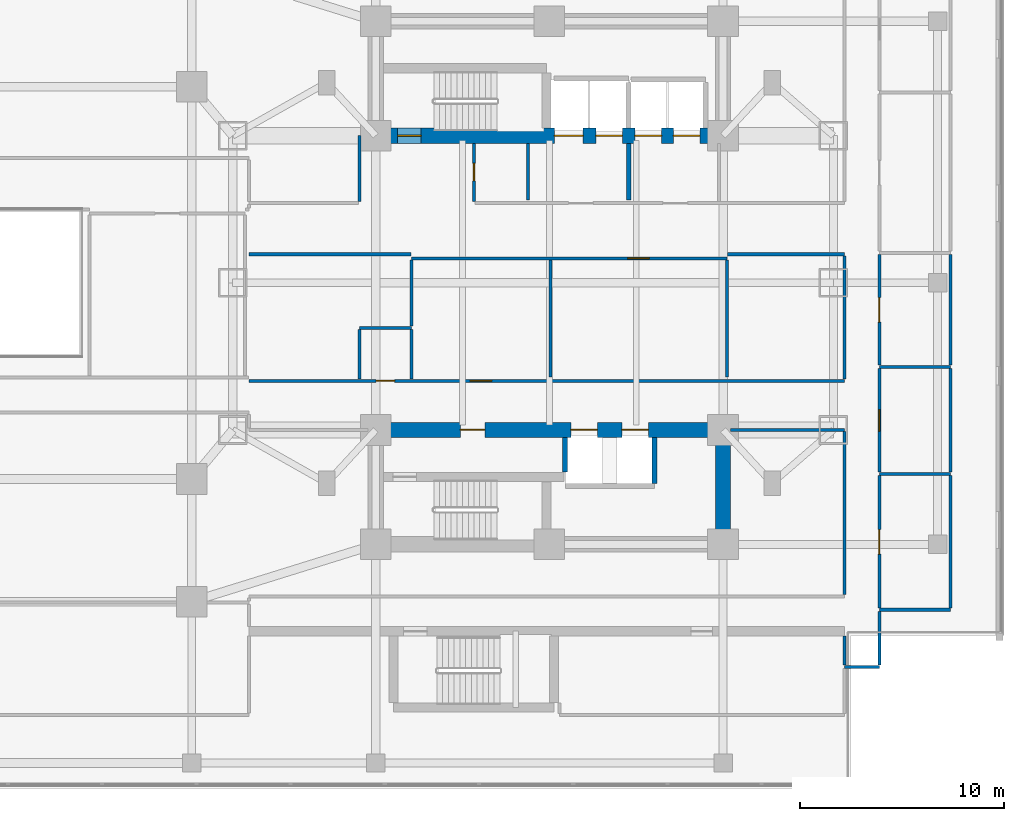
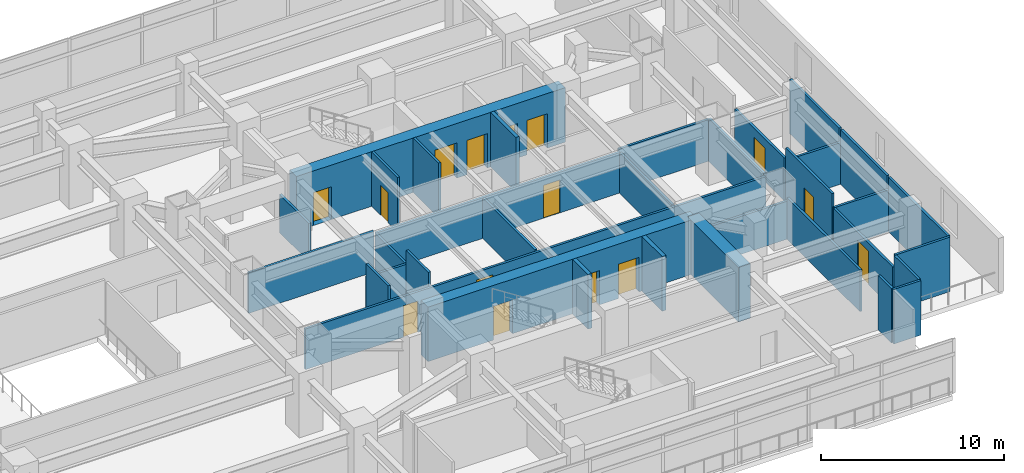
# One storey, part 17 of 26: 34 walls, 15 doors, 15 openings.
"""IFC4 building model written with IfcOpenShell, lengths in metres."""

from ifc_helpers import new_model, si_unit, direction, frame, frame_2d, origin, place, context, subcontext, project, spatial, rectangle, extrude, material, layer, layer_set, type_object, element, fill, save


model = new_model("IFC4")

# Units and contexts
model_context = context("Model", 3, precision=1e-05, world=origin(), true_north=direction((0.0, 1.0)))
body_context = subcontext(model_context, "Body", "Model", "MODEL_VIEW")
ifc_project = project(units=[si_unit("LENGTHUNIT", "METRE"), si_unit("AREAUNIT", "SQUARE_METRE"), si_unit("VOLUMEUNIT", "CUBIC_METRE"), si_unit("PLANEANGLEUNIT", "RADIAN"), si_unit("MASSUNIT", "GRAM", prefix="KILO")], contexts=[model_context])

# Site, building, storey
site_placement = place(None, origin())
site = spatial("IfcSite", under=ifc_project, at=site_placement, CompositionType="ELEMENT")
building_placement = place(site_placement, origin())
building = spatial("IfcBuilding", under=site, at=building_placement, Name="Mirazonda Arch Towers", CompositionType="ELEMENT")
storey_placement = place(building_placement, frame((0.0, 0.0, 13.800048828125)))
storey = spatial("IfcBuildingStorey", under=building, at=storey_placement, Name="L03", CompositionType="ELEMENT", Elevation=13.800048828125)

# Wall, openings, doors
ifc_material_1 = material(Name="Concrete C60/75", Category="concrete")
ifc_layer_1 = layer(ifc_material_1, 0.75, Name="WALL-CORE-750")
ifc_layer_set_1 = layer_set([ifc_layer_1], Name="Concrete C60/75")
wall_type_1 = type_object("IfcWallType", Name="WALL-CORE-750", PredefinedType="SHEAR", material=ifc_layer_set_1)
wall_1_placement = place(storey_placement, frame((68.0, 35.199951171875, 0.0), z_axis=(0.0, 0.0, 1.0), x_axis=(1.0, 0.0, 0.0)))
wall_1 = element("IfcWall", 1, at=wall_1_placement, inside=storey, type_object=wall_type_1, Name="L03 T2N-S Core Shear Wall", PredefinedType="SHEAR", context=body_context, shape_type="SweptSolid", body=[
    extrude(rectangle(XDim=17.0, YDim=0.75, at=frame_2d((8.5, 0.0))), origin(), (0.0, 0.0, 1.0), 3.64990234375),
])
opening_1_placement = place(wall_1_placement, frame((1.070068359375, 0.0, 0.0)))
opening_1 = element("IfcOpeningElement", 2, at=opening_1_placement, cuts=wall_1, Name="Opening DR-135", PredefinedType="OPENING", context=body_context, shape_type="SweptSolid", body=[
    extrude(rectangle(XDim=1.14990234375, YDim=2.199951171875, at=frame_2d((0.574951171875, 1.10009765625))), frame((0.0, 0.385009765625, 0.0), z_axis=(0.0, -1.0, 0.0), x_axis=(1.0, 0.0, 0.0)), (0.0, 0.0, 1.0), 0.77001953125),
])
opening_2_placement = place(wall_1_placement, frame((8.75, 0.0, 0.0)))
opening_2 = element("IfcOpeningElement", 3, at=opening_2_placement, cuts=wall_1, Name="Opening LD-112", PredefinedType="OPENING", context=body_context, shape_type="SweptSolid", body=[
    extrude(rectangle(XDim=1.39990234375, YDim=2.35009765625, at=frame_2d((0.699951171875, 1.175048828125))), frame((0.0, 0.385009765625, 0.0), z_axis=(0.0, -1.0, 0.0), x_axis=(1.0, 0.0, 0.0)), (0.0, 0.0, 1.0), 0.77001953125),
])
opening_3_placement = place(wall_1_placement, frame((10.77001953125, 0.0, 0.0)))
opening_3 = element("IfcOpeningElement", 4, at=opening_3_placement, cuts=wall_1, Name="Opening LD-111", PredefinedType="OPENING", context=body_context, shape_type="SweptSolid", body=[
    extrude(rectangle(XDim=1.300048828125, YDim=2.300048828125, at=frame_2d((0.64990234375, 1.14990234375))), frame((0.0, 0.385009765625, 0.0), z_axis=(0.0, -1.0, 0.0), x_axis=(1.0, 0.0, 0.0)), (0.0, 0.0, 1.0), 0.77001953125),
])
opening_4_placement = place(wall_1_placement, frame((12.68994140625, 0.0, 0.0)))
opening_4 = element("IfcOpeningElement", 5, at=opening_4_placement, cuts=wall_1, Name="Opening LD-111", PredefinedType="OPENING", context=body_context, shape_type="SweptSolid", body=[
    extrude(rectangle(XDim=1.300048828125, YDim=2.300048828125, at=frame_2d((0.64990234375, 1.14990234375))), frame((0.0, 0.385009765625, 0.0), z_axis=(0.0, -1.0, 0.0), x_axis=(1.0, 0.0, 0.0)), (0.0, 0.0, 1.0), 0.77001953125),
])
opening_5_placement = place(wall_1_placement, frame((14.570068359375, 0.0, 0.0)))
opening_5 = element("IfcOpeningElement", 6, at=opening_5_placement, cuts=wall_1, Name="Opening LD-111", PredefinedType="OPENING", context=body_context, shape_type="SweptSolid", body=[
    extrude(rectangle(XDim=1.300048828125, YDim=2.300048828125, at=frame_2d((0.64990234375, 1.14990234375))), frame((0.0, 0.385009765625, 0.0), z_axis=(0.0, -1.0, 0.0), x_axis=(1.0, 0.0, 0.0)), (0.0, 0.0, 1.0), 0.77001953125),
])
ifc_material_2 = material(Name="Architectural Brushed Steel S355", Category="steel")
door_type_1 = type_object("IfcDoorType", Name="DOOR-LIFT-FFL-1400", OperationType="NOTDEFINED", PredefinedType="DOOR", material=ifc_material_2)
door_1_placement = place(opening_2_placement, origin())
door_1 = element("IfcDoor", 7, at=door_1_placement, inside=storey, type_object=door_type_1, Name="L03 Lift Landing Sliding Door FFL-T2", OperationType="DOUBLE_DOOR_SLIDING", OverallHeight=2.35009765625, OverallWidth=1.39990234375, PredefinedType="DOOR", context=body_context, shape_type="SweptSolid", body=[
    extrude(rectangle(XDim=1.39990234375, YDim=2.35009765625, at=frame_2d((0.699951171875, 1.175048828125))), frame((0.0, 0.02490234375, 0.0), z_axis=(0.0, -1.0, 0.0), x_axis=(1.0, 0.0, 0.0)), (0.0, 0.0, 1.0), 0.050048828125),
])
fill(opening_2, door_1)
door_type_2 = type_object("IfcDoorType", Name="DOOR-LIFT-LAND-1300", OperationType="NOTDEFINED", PredefinedType="DOOR", material=ifc_material_2)
door_2_placement = place(opening_3_placement, origin())
door_2 = element("IfcDoor", 8, at=door_2_placement, inside=storey, type_object=door_type_2, Name="L03 Lift Landing Sliding Door SVL-T2", OperationType="DOUBLE_DOOR_SLIDING", OverallHeight=2.300048828125, OverallWidth=1.300048828125, PredefinedType="DOOR", context=body_context, shape_type="SweptSolid", body=[
    extrude(rectangle(XDim=1.300048828125, YDim=2.300048828125, at=frame_2d((0.64990234375, 1.14990234375))), frame((0.0, 0.02490234375, 0.0), z_axis=(0.0, -1.0, 0.0), x_axis=(1.0, 0.0, 0.0)), (0.0, 0.0, 1.0), 0.050048828125),
])
fill(opening_3, door_2)
door_3_placement = place(opening_4_placement, origin())
door_3 = element("IfcDoor", 9, at=door_3_placement, inside=storey, type_object=door_type_2, Name="L03 Lift Landing Sliding Door PL-T2L1", OperationType="DOUBLE_DOOR_SLIDING", OverallHeight=2.300048828125, OverallWidth=1.300048828125, PredefinedType="DOOR", context=body_context, shape_type="SweptSolid", body=[
    extrude(rectangle(XDim=1.300048828125, YDim=2.300048828125, at=frame_2d((0.64990234375, 1.14990234375))), frame((0.0, 0.02490234375, 0.0), z_axis=(0.0, -1.0, 0.0), x_axis=(1.0, 0.0, 0.0)), (0.0, 0.0, 1.0), 0.050048828125),
])
fill(opening_4, door_3)
door_4_placement = place(opening_5_placement, origin())
door_4 = element("IfcDoor", 10, at=door_4_placement, inside=storey, type_object=door_type_2, Name="L03 Lift Landing Sliding Door PL-T2L2", OperationType="DOUBLE_DOOR_SLIDING", OverallHeight=2.300048828125, OverallWidth=1.300048828125, PredefinedType="DOOR", context=body_context, shape_type="SweptSolid", body=[
    extrude(rectangle(XDim=1.300048828125, YDim=2.300048828125, at=frame_2d((0.64990234375, 1.14990234375))), frame((0.0, 0.02490234375, 0.0), z_axis=(0.0, -1.0, 0.0), x_axis=(1.0, 0.0, 0.0)), (0.0, 0.0, 1.0), 0.050048828125),
])
fill(opening_5, door_4)
door_type_3 = type_object("IfcDoorType", Name="DOOR-STAIR-FD90-1150", OperationType="NOTDEFINED", PredefinedType="DOOR", material=ifc_material_2)
door_5_placement = place(opening_1_placement, origin())
door_5 = element("IfcDoor", 11, at=door_5_placement, inside=storey, type_object=door_type_3, Name="L03 East Protected Stair North Door", OperationType="SINGLE_SWING_RIGHT", OverallHeight=2.199951171875, OverallWidth=1.14990234375, PredefinedType="DOOR", context=body_context, shape_type="SweptSolid", body=[
    extrude(rectangle(XDim=1.14990234375, YDim=2.199951171875, at=frame_2d((0.574951171875, 1.10009765625))), frame((0.0, 0.02490234375, 0.0), z_axis=(0.0, -1.0, 0.0), x_axis=(1.0, 0.0, 0.0)), (0.0, 0.0, 1.0), 0.050048828125),
])
fill(opening_1, door_5)

# Wall
wall_2_placement = place(storey_placement, frame((85.0, 15.199951171875, 0.0), z_axis=(0.0, 0.0, 1.0), x_axis=(0.0, 1.0, 0.0)))
element("IfcWall", 12, at=wall_2_placement, inside=storey, type_object=wall_type_1, Name="L03 T2S-E Core Shear Wall", PredefinedType="SHEAR", context=body_context, shape_type="SweptSolid", body=[
    extrude(rectangle(XDim=5.60009765625, YDim=0.75, at=frame_2d((2.800048828125, 0.0))), origin(), (0.0, 0.0, 1.0), 3.64990234375),
])

# Wall, openings, doors
wall_3_placement = place(storey_placement, frame((68.0, 20.800048828125, 0.0), z_axis=(0.0, 0.0, 1.0), x_axis=(1.0, 0.0, 0.0)))
wall_3 = element("IfcWall", 13, at=wall_3_placement, inside=storey, type_object=wall_type_1, Name="L03 T2S-N Core Shear Wall", PredefinedType="SHEAR", context=body_context, shape_type="SweptSolid", body=[
    extrude(rectangle(XDim=17.0, YDim=0.75, at=frame_2d((8.5, 0.0))), origin(), (0.0, 0.0, 1.0), 3.64990234375),
])
opening_6_placement = place(wall_3_placement, frame((4.14501953125, 0.0, 0.0)))
opening_6 = element("IfcOpeningElement", 14, at=opening_6_placement, cuts=wall_3, Name="Opening DR-117", PredefinedType="OPENING", context=body_context, shape_type="SweptSolid", body=[
    extrude(rectangle(XDim=1.199951171875, YDim=2.25, at=frame_2d((0.60009765625, 1.125))), frame((0.0, 0.385009765625, 0.0), z_axis=(0.0, -1.0, 0.0), x_axis=(1.0, 0.0, 0.0)), (0.0, 0.0, 1.0), 0.77001953125),
])
opening_7_placement = place(wall_3_placement, frame((9.550048828125, 0.0, 0.0)))
opening_7 = element("IfcOpeningElement", 15, at=opening_7_placement, cuts=wall_3, Name="Opening LD-111", PredefinedType="OPENING", context=body_context, shape_type="SweptSolid", body=[
    extrude(rectangle(XDim=1.300048828125, YDim=2.300048828125, at=frame_2d((0.64990234375, 1.14990234375))), frame((0.0, 0.385009765625, 0.0), z_axis=(0.0, -1.0, 0.0), x_axis=(1.0, 0.0, 0.0)), (0.0, 0.0, 1.0), 0.77001953125),
])
opening_8_placement = place(wall_3_placement, frame((12.050048828125, 0.0, 0.0)))
opening_8 = element("IfcOpeningElement", 16, at=opening_8_placement, cuts=wall_3, Name="Opening LD-111", PredefinedType="OPENING", context=body_context, shape_type="SweptSolid", body=[
    extrude(rectangle(XDim=1.300048828125, YDim=2.300048828125, at=frame_2d((0.64990234375, 1.14990234375))), frame((0.0, 0.385009765625, 0.0), z_axis=(0.0, -1.0, 0.0), x_axis=(1.0, 0.0, 0.0)), (0.0, 0.0, 1.0), 0.77001953125),
])
door_type_4 = type_object("IfcDoorType", Name="DOOR-FFL-FD90-1200", OperationType="NOTDEFINED", PredefinedType="DOOR", material=ifc_material_2)
door_6_placement = place(opening_6_placement, origin())
door_6 = element("IfcDoor", 17, at=door_6_placement, inside=storey, type_object=door_type_4, Name="L03 East South Stair & Lift Lobby Door", OperationType="SINGLE_SWING_LEFT", OverallHeight=2.25, OverallWidth=1.199951171875, PredefinedType="DOOR", context=body_context, shape_type="SweptSolid", body=[
    extrude(rectangle(XDim=1.199951171875, YDim=2.25, at=frame_2d((0.60009765625, 1.125))), frame((0.0, 0.02490234375, 0.0), z_axis=(0.0, -1.0, 0.0), x_axis=(1.0, 0.0, 0.0)), (0.0, 0.0, 1.0), 0.050048828125),
])
fill(opening_6, door_6)
door_7_placement = place(opening_7_placement, origin())
door_7 = element("IfcDoor", 18, at=door_7_placement, inside=storey, type_object=door_type_2, Name="L03 Lift Landing Sliding Door PL-T2H1", OperationType="DOUBLE_DOOR_SLIDING", OverallHeight=2.300048828125, OverallWidth=1.300048828125, PredefinedType="DOOR", context=body_context, shape_type="SweptSolid", body=[
    extrude(rectangle(XDim=1.300048828125, YDim=2.300048828125, at=frame_2d((0.64990234375, 1.14990234375))), frame((0.0, 0.02490234375, 0.0), z_axis=(0.0, -1.0, 0.0), x_axis=(1.0, 0.0, 0.0)), (0.0, 0.0, 1.0), 0.050048828125),
])
fill(opening_7, door_7)
door_8_placement = place(opening_8_placement, origin())
door_8 = element("IfcDoor", 19, at=door_8_placement, inside=storey, type_object=door_type_2, Name="L03 Lift Landing Sliding Door PL-T2H2", OperationType="DOUBLE_DOOR_SLIDING", OverallHeight=2.300048828125, OverallWidth=1.300048828125, PredefinedType="DOOR", context=body_context, shape_type="SweptSolid", body=[
    extrude(rectangle(XDim=1.300048828125, YDim=2.300048828125, at=frame_2d((0.64990234375, 1.14990234375))), frame((0.0, 0.02490234375, 0.0), z_axis=(0.0, -1.0, 0.0), x_axis=(1.0, 0.0, 0.0)), (0.0, 0.0, 1.0), 0.050048828125),
])
fill(opening_8, door_8)

# Walls
ifc_material_3 = material(Name="Concrete C40/50", Category="concrete")
ifc_layer_2 = layer(ifc_material_3, 0.219970703125, Name="WALL-FFL-220")
ifc_layer_set_2 = layer_set([ifc_layer_2], Name="Concrete C40/50")
wall_type_2 = type_object("IfcWallType", Name="WALL-FFL-220", PredefinedType="SOLIDWALL", material=ifc_layer_set_2)
wall_4_placement = place(storey_placement, frame((80.3798828125, 32.050048828125, 0.0), z_axis=(0.0, 0.0, 1.0), x_axis=(0.0, 1.0, 0.0)))
element("IfcWall", 20, at=wall_4_placement, inside=storey, type_object=wall_type_2, Name="L03 Interior Partition 123", PredefinedType="SOLIDWALL", context=body_context, shape_type="SweptSolid", body=[
    extrude(rectangle(XDim=2.780029296875, YDim=0.219970703125, at=frame_2d((1.39013671875, 0.0))), origin(), (0.0, 0.0, 1.0), 3.64990234375),
])
ifc_material_4 = material(Name="Fire-Rated Gypsum Stud Partition")
ifc_layer_3 = layer(ifc_material_4, 0.14990234375, Name="WALL-PART-CORR-150")
ifc_layer_set_3 = layer_set([ifc_layer_3], Name="Fire-Rated Gypsum Stud Partition")
wall_type_3 = type_object("IfcWallType", Name="WALL-PART-CORR-150", PredefinedType="PARTITIONING", material=ifc_layer_set_3)
wall_5_placement = place(storey_placement, frame((90.949951171875, 9.199951171875, 0.0), z_axis=(0.0, 0.0, 1.0), x_axis=(1.0, 0.0, 0.0)))
element("IfcWall", 21, at=wall_5_placement, inside=storey, type_object=wall_type_3, Name="L03 Interior Partition 006", PredefinedType="PARTITIONING", context=body_context, shape_type="SweptSolid", body=[
    extrude(rectangle(XDim=1.699951171875, YDim=0.14990234375, at=frame_2d((0.85009765625, 0.0))), origin(), (0.0, 0.0, 1.0), 3.64990234375),
])
wall_6_placement = place(storey_placement, frame((92.64990234375, 12.0, 0.0), z_axis=(0.0, 0.0, 1.0), x_axis=(1.0, 0.0, 0.0)))
element("IfcWall", 22, at=wall_6_placement, inside=storey, type_object=wall_type_3, Name="L03 Interior Partition 010", PredefinedType="PARTITIONING", context=body_context, shape_type="SweptSolid", body=[
    extrude(rectangle(XDim=3.47509765625, YDim=0.14990234375, at=frame_2d((1.737548828125, 0.0))), origin(), (0.0, 0.0, 1.0), 3.64990234375),
])
wall_7_placement = place(storey_placement, frame((92.64990234375, 18.655029296875, 0.0), z_axis=(0.0, 0.0, 1.0), x_axis=(1.0, 0.0, 0.0)))
element("IfcWall", 23, at=wall_7_placement, inside=storey, type_object=wall_type_3, Name="L03 Interior Partition 023", PredefinedType="PARTITIONING", context=body_context, shape_type="SweptSolid", body=[
    extrude(rectangle(XDim=3.47509765625, YDim=0.14990234375, at=frame_2d((1.737548828125, 0.0))), origin(), (0.0, 0.0, 1.0), 2.785888671875),
])
wall_8_placement = place(storey_placement, frame((85.3701171875, 20.800048828125, 0.0), z_axis=(0.0, 0.0, 1.0), x_axis=(1.0, 0.0, 0.0)))
element("IfcWall", 24, at=wall_8_placement, inside=storey, type_object=wall_type_3, Name="L03 Interior Partition 026", PredefinedType="PARTITIONING", context=body_context, shape_type="SweptSolid", body=[
    extrude(rectangle(XDim=5.579833984375, YDim=0.14990234375, at=frame_2d((2.7900390625, 0.0))), origin(), (0.0, 0.0, 1.0), 2.5419921875),
])

# Wall, openings, doors
wall_9_placement = place(storey_placement, frame((61.800048828125, 23.199951171875, 0.0), z_axis=(0.0, 0.0, 1.0), x_axis=(1.0, 0.0, 0.0)))
wall_9 = element("IfcWall", 25, at=wall_9_placement, inside=storey, type_object=wall_type_3, Name="L03 Interior Partition 028", PredefinedType="PARTITIONING", context=body_context, shape_type="SweptSolid", body=[
    extrude(rectangle(XDim=29.14990234375, YDim=0.14990234375, at=frame_2d((14.574951171875, 0.0))), origin(), (0.0, 0.0, 1.0), 2.71484375),
])
opening_9_placement = place(wall_9_placement, frame((6.22509765625, 0.0, 0.0)))
opening_9 = element("IfcOpeningElement", 26, at=opening_9_placement, cuts=wall_9, Name="Opening DR-120", PredefinedType="OPENING", context=body_context, shape_type="SweptSolid", body=[
    extrude(rectangle(XDim=0.89990234375, YDim=2.10009765625, at=frame_2d((0.449951171875, 1.050048828125))), frame((0.0, 0.0849609375, 0.0), z_axis=(0.0, -1.0, 0.0), x_axis=(1.0, 0.0, 0.0)), (0.0, 0.0, 1.0), 0.169921875),
])
opening_10_placement = place(wall_9_placement, frame((10.823974609375, 0.0, 0.0)))
opening_10 = element("IfcOpeningElement", 27, at=opening_10_placement, cuts=wall_9, Name="Opening DR-121", PredefinedType="OPENING", context=body_context, shape_type="SweptSolid", body=[
    extrude(rectangle(XDim=1.050048828125, YDim=2.199951171875, at=frame_2d((0.52490234375, 1.10009765625))), frame((0.0, 0.0849609375, 0.0), z_axis=(0.0, -1.0, 0.0), x_axis=(1.0, 0.0, 0.0)), (0.0, 0.0, 1.0), 0.169921875),
])
door_type_5 = type_object("IfcDoorType", Name="DOOR-SUITE-FD60-1050", OperationType="NOTDEFINED", PredefinedType="DOOR", material=ifc_material_2)
door_9_placement = place(opening_10_placement, origin())
door_9 = element("IfcDoor", 28, at=door_9_placement, inside=storey, type_object=door_type_5, Name="L03 Central Plenary Breakout Lounge Door", OperationType="SINGLE_SWING_LEFT", OverallHeight=2.199951171875, OverallWidth=1.050048828125, PredefinedType="DOOR", context=body_context, shape_type="SweptSolid", body=[
    extrude(rectangle(XDim=1.050048828125, YDim=2.199951171875, at=frame_2d((0.52490234375, 1.10009765625))), frame((0.0, 0.02490234375, 0.0), z_axis=(0.0, -1.0, 0.0), x_axis=(1.0, 0.0, 0.0)), (0.0, 0.0, 1.0), 0.050048828125),
])
fill(opening_10, door_9)
door_type_6 = type_object("IfcDoorType", Name="DOOR-WC-900", OperationType="NOTDEFINED", PredefinedType="DOOR", material=ifc_material_2)
door_10_placement = place(opening_9_placement, origin())
door_10 = element("IfcDoor", 29, at=door_10_placement, inside=storey, type_object=door_type_6, Name="L03 Tower 2 Podium Accessible WC Door", OperationType="SINGLE_SWING_LEFT", OverallHeight=2.10009765625, OverallWidth=0.89990234375, PredefinedType="DOOR", context=body_context, shape_type="SweptSolid", body=[
    extrude(rectangle(XDim=0.89990234375, YDim=2.10009765625, at=frame_2d((0.449951171875, 1.050048828125))), frame((0.0, 0.02490234375, 0.0), z_axis=(0.0, -1.0, 0.0), x_axis=(1.0, 0.0, 0.0)), (0.0, 0.0, 1.0), 0.050048828125),
])
fill(opening_9, door_10)

# Walls
wall_10_placement = place(storey_placement, frame((92.64990234375, 23.884033203125, 0.0), z_axis=(0.0, 0.0, 1.0), x_axis=(1.0, 0.0, 0.0)))
element("IfcWall", 30, at=wall_10_placement, inside=storey, type_object=wall_type_3, Name="L03 Interior Partition 032", PredefinedType="PARTITIONING", context=body_context, shape_type="SweptSolid", body=[
    extrude(rectangle(XDim=3.47509765625, YDim=0.14990234375, at=frame_2d((1.737548828125, 0.0))), origin(), (0.0, 0.0, 1.0), 2.785888671875),
])
wall_11_placement = place(storey_placement, frame((67.199951171875, 25.800048828125, 0.0), z_axis=(0.0, 0.0, 1.0), x_axis=(1.0, 0.0, 0.0)))
element("IfcWall", 31, at=wall_11_placement, inside=storey, type_object=wall_type_3, Name="L03 Interior Partition 033", PredefinedType="PARTITIONING", context=body_context, shape_type="SweptSolid", body=[
    extrude(rectangle(XDim=2.550048828125, YDim=0.14990234375, at=frame_2d((1.27490234375, 0.0))), origin(), (0.0, 0.0, 1.0), 2.71484375),
])

# Wall, opening, door
wall_12_placement = place(storey_placement, frame((69.75, 29.199951171875, 0.0), z_axis=(0.0, 0.0, 1.0), x_axis=(1.0, 0.0, 0.0)))
wall_12 = element("IfcWall", 32, at=wall_12_placement, inside=storey, type_object=wall_type_3, Name="L03 Interior Partition 035", PredefinedType="PARTITIONING", context=body_context, shape_type="SweptSolid", body=[
    extrude(rectangle(XDim=15.449951171875, YDim=0.14990234375, at=frame_2d((7.72509765625, 0.0))), origin(), (0.0, 0.0, 1.0), 2.71484375),
])
opening_11_placement = place(wall_12_placement, frame((10.5791015625, 0.0, 0.0)))
opening_11 = element("IfcOpeningElement", 33, at=opening_11_placement, cuts=wall_12, Name="Opening DR-121", PredefinedType="OPENING", context=body_context, shape_type="SweptSolid", body=[
    extrude(rectangle(XDim=1.050048828125, YDim=2.199951171875, at=frame_2d((0.52490234375, 1.10009765625))), frame((0.0, 0.0849609375, 0.0), z_axis=(0.0, -1.0, 0.0), x_axis=(1.0, 0.0, 0.0)), (0.0, 0.0, 1.0), 0.169921875),
])
door_11_placement = place(opening_11_placement, origin())
door_11 = element("IfcDoor", 34, at=door_11_placement, inside=storey, type_object=door_type_5, Name="L03 Executive Caucus Room Door", OperationType="SINGLE_SWING_RIGHT", OverallHeight=2.199951171875, OverallWidth=1.050048828125, PredefinedType="DOOR", context=body_context, shape_type="SweptSolid", body=[
    extrude(rectangle(XDim=1.050048828125, YDim=2.199951171875, at=frame_2d((0.52490234375, 1.10009765625))), frame((0.0, 0.02490234375, 0.0), z_axis=(0.0, -1.0, 0.0), x_axis=(1.0, 0.0, 0.0)), (0.0, 0.0, 1.0), 0.050048828125),
])
fill(opening_11, door_11)

# Walls
wall_13_placement = place(storey_placement, frame((61.800048828125, 29.39990234375, 0.0), z_axis=(0.0, 0.0, 1.0), x_axis=(1.0, 0.0, 0.0)))
element("IfcWall", 35, at=wall_13_placement, inside=storey, type_object=wall_type_3, Name="L03 Interior Partition 036", PredefinedType="PARTITIONING", context=body_context, shape_type="SweptSolid", body=[
    extrude(rectangle(XDim=7.929931640625, YDim=0.14990234375, at=frame_2d((3.96484375, 0.0))), origin(), (0.0, 0.0, 1.0), 2.71484375),
])
wall_14_placement = place(storey_placement, frame((85.219970703125, 29.39990234375, 0.0), z_axis=(0.0, 0.0, 1.0), x_axis=(1.0, 0.0, 0.0)))
element("IfcWall", 36, at=wall_14_placement, inside=storey, type_object=wall_type_3, Name="L03 Interior Partition 037", PredefinedType="PARTITIONING", context=body_context, shape_type="SweptSolid", body=[
    extrude(rectangle(XDim=5.72998046875, YDim=0.14990234375, at=frame_2d((2.864990234375, 0.0))), origin(), (0.0, 0.0, 1.0), 2.785888671875),
])
wall_15_placement = place(storey_placement, frame((67.199951171875, 23.284912109375, 0.0), z_axis=(0.0, 0.0, 1.0), x_axis=(0.0, 1.0, 0.0)))
element("IfcWall", 37, at=wall_15_placement, inside=storey, type_object=wall_type_3, Name="L03 Interior Partition 110", PredefinedType="PARTITIONING", context=body_context, shape_type="SweptSolid", body=[
    extrude(rectangle(XDim=2.43017578125, YDim=0.14990234375, at=frame_2d((1.215087890625, 0.0))), origin(), (0.0, 0.0, 1.0), 3.64990234375),
])
wall_16_placement = place(storey_placement, frame((67.199951171875, 31.985107421875, 0.0), z_axis=(0.0, 0.0, 1.0), x_axis=(0.0, 1.0, 0.0)))
element("IfcWall", 38, at=wall_16_placement, inside=storey, type_object=wall_type_3, Name="L03 Interior Partition 111", PredefinedType="PARTITIONING", context=body_context, shape_type="SweptSolid", body=[
    extrude(rectangle(XDim=3.21484375, YDim=0.14990234375, at=frame_2d((1.607421875, 0.0))), origin(), (0.0, 0.0, 1.0), 2.5419921875),
])
wall_17_placement = place(storey_placement, frame((69.75, 23.284912109375, 0.0), z_axis=(0.0, 0.0, 1.0), x_axis=(0.0, 1.0, 0.0)))
element("IfcWall", 39, at=wall_17_placement, inside=storey, type_object=wall_type_3, Name="L03 Interior Partition 113", PredefinedType="PARTITIONING", context=body_context, shape_type="SweptSolid", body=[
    extrude(rectangle(XDim=2.43017578125, YDim=0.14990234375, at=frame_2d((1.215087890625, 0.0))), origin(), (0.0, 0.0, 1.0), 3.64990234375),
])
wall_18_placement = place(storey_placement, frame((69.75, 25.885009765625, 0.0), z_axis=(0.0, 0.0, 1.0), x_axis=(0.0, 1.0, 0.0)))
element("IfcWall", 40, at=wall_18_placement, inside=storey, type_object=wall_type_3, Name="L03 Interior Partition 114", PredefinedType="PARTITIONING", context=body_context, shape_type="SweptSolid", body=[
    extrude(rectangle(XDim=3.22998046875, YDim=0.14990234375, at=frame_2d((1.614990234375, 0.0))), origin(), (0.0, 0.0, 1.0), 2.71484375),
])

# Wall, opening, door
wall_19_placement = place(storey_placement, frame((72.81005859375, 31.985107421875, 0.0), z_axis=(0.0, 0.0, 1.0), x_axis=(0.0, 1.0, 0.0)))
wall_19 = element("IfcWall", 41, at=wall_19_placement, inside=storey, type_object=wall_type_3, Name="L03 Interior Partition 115", PredefinedType="PARTITIONING", context=body_context, shape_type="SweptSolid", body=[
    extrude(rectangle(XDim=2.844970703125, YDim=0.14990234375, at=frame_2d((1.42236328125, 0.0))), origin(), (0.0, 0.0, 1.0), 3.64990234375),
])
opening_12_placement = place(wall_19_placement, frame((1.010009765625, 0.0, 0.0)))
opening_12 = element("IfcOpeningElement", 42, at=opening_12_placement, cuts=wall_19, Name="Opening DR-128", PredefinedType="OPENING", context=body_context, shape_type="SweptSolid", body=[
    extrude(rectangle(XDim=0.85009765625, YDim=2.010009765625, at=frame_2d((0.425048828125, 1.0048828125))), frame((0.0, 0.0849609375, 0.0), z_axis=(0.0, -1.0, 0.0), x_axis=(1.0, 0.0, 0.0)), (0.0, 0.0, 1.0), 0.169921875),
])
door_type_7 = type_object("IfcDoorType", Name="DOOR-RISER-FD60-850", OperationType="NOTDEFINED", PredefinedType="DOOR", material=ifc_material_2)
door_12_placement = place(opening_12_placement, origin())
door_12 = element("IfcDoor", 43, at=door_12_placement, inside=storey, type_object=door_type_7, Name="L03 Tower 2 Core Service Room Door", OperationType="SINGLE_SWING_RIGHT", OverallHeight=2.010009765625, OverallWidth=0.85009765625, PredefinedType="DOOR", context=body_context, shape_type="SweptSolid", body=[
    extrude(rectangle(XDim=0.85009765625, YDim=2.010009765625, at=frame_2d((0.425048828125, 1.0048828125))), frame((0.0, 0.02490234375, 0.0), z_axis=(0.0, -1.0, 0.0), x_axis=(1.0, 0.0, 0.0)), (0.0, 0.0, 1.0), 0.050048828125),
])
fill(opening_12, door_12)

# Walls
wall_20_placement = place(storey_placement, frame((75.449951171875, 32.050048828125, 0.0), z_axis=(0.0, 0.0, 1.0), x_axis=(0.0, 1.0, 0.0)))
element("IfcWall", 44, at=wall_20_placement, inside=storey, type_object=wall_type_3, Name="L03 Interior Partition 116", PredefinedType="PARTITIONING", context=body_context, shape_type="SweptSolid", body=[
    extrude(rectangle(XDim=2.780029296875, YDim=0.14990234375, at=frame_2d((1.39013671875, 0.0))), origin(), (0.0, 0.0, 1.0), 3.64990234375),
])
for number, where, z_axis, x_axis, name in (
    (45, (76.548095703125, 23.39990234375, 0.0), (0.0, 0.0, 1.0), (0.0, 1.0, 0.0), "L03 Interior Partition 119"),
    (46, (85.199951171875, 23.39990234375, 0.0), (0.0, 0.0, 1.0), (0.0, 1.0, 0.0), "L03 Interior Partition 128"),
):
    element("IfcWall", number, at=place(storey_placement, frame(where, z_axis=z_axis, x_axis=x_axis)), inside=storey, type_object=wall_type_3, Name=name, PredefinedType="PARTITIONING", context=body_context, shape_type="SweptSolid", body=[
        extrude(rectangle(XDim=5.715087890625, YDim=0.14990234375, at=frame_2d((2.857421875, 0.0))), origin(), (0.0, 0.0, 1.0), 2.71484375),
    ])
wall_21_placement = place(storey_placement, frame((90.949951171875, 9.284912109375, 0.0), z_axis=(0.0, 0.0, 1.0), x_axis=(0.0, 1.0, 0.0)))
element("IfcWall", 47, at=wall_21_placement, inside=storey, type_object=wall_type_3, Name="L03 Interior Partition 131", PredefinedType="PARTITIONING", context=body_context, shape_type="SweptSolid", body=[
    extrude(rectangle(XDim=1.43017578125, YDim=0.14990234375, at=frame_2d((0.715087890625, 0.0))), origin(), (0.0, 0.0, 1.0), 3.64990234375),
])
wall_22_placement = place(storey_placement, frame((90.949951171875, 12.735107421875, 0.0), z_axis=(0.0, 0.0, 1.0), x_axis=(0.0, 1.0, 0.0)))
element("IfcWall", 48, at=wall_22_placement, inside=storey, type_object=wall_type_3, Name="L03 Interior Partition 132", PredefinedType="PARTITIONING", context=body_context, shape_type="SweptSolid", body=[
    extrude(rectangle(XDim=7.97998046875, YDim=0.14990234375, at=frame_2d((3.989990234375, 0.0))), origin(), (0.0, 0.0, 1.0), 2.785888671875),
])
wall_23_placement = place(storey_placement, frame((90.949951171875, 23.284912109375, 0.0), z_axis=(0.0, 0.0, 1.0), x_axis=(0.0, 1.0, 0.0)))
element("IfcWall", 49, at=wall_23_placement, inside=storey, type_object=wall_type_3, Name="L03 Interior Partition 133", PredefinedType="PARTITIONING", context=body_context, shape_type="SweptSolid", body=[
    extrude(rectangle(XDim=6.030029296875, YDim=0.14990234375, at=frame_2d((3.01513671875, 0.0))), origin(), (0.0, 0.0, 1.0), 2.868896484375),
])
wall_24_placement = place(storey_placement, frame((92.64990234375, 9.284912109375, 0.0), z_axis=(0.0, 0.0, 1.0), x_axis=(0.0, 1.0, 0.0)))
element("IfcWall", 50, at=wall_24_placement, inside=storey, type_object=wall_type_3, Name="L03 Interior Partition 135", PredefinedType="PARTITIONING", context=body_context, shape_type="SweptSolid", body=[
    extrude(rectangle(XDim=2.630126953125, YDim=0.14990234375, at=frame_2d((1.31494140625, 0.0))), origin(), (0.0, 0.0, 1.0), 3.64990234375),
])

# Wall, opening, door
wall_25_placement = place(storey_placement, frame((92.64990234375, 12.0849609375, 0.0), z_axis=(0.0, 0.0, 1.0), x_axis=(0.0, 1.0, 0.0)))
wall_25 = element("IfcWall", 51, at=wall_25_placement, inside=storey, type_object=wall_type_3, Name="L03 Interior Partition 136", PredefinedType="PARTITIONING", context=body_context, shape_type="SweptSolid", body=[
    extrude(rectangle(XDim=6.485107421875, YDim=0.14990234375, at=frame_2d((3.24267578125, 0.0))), origin(), (0.0, 0.0, 1.0), 2.785888671875),
])
opening_13_placement = place(wall_25_placement, frame((2.642578125, 0.0, 0.0)))
opening_13 = element("IfcOpeningElement", 52, at=opening_13_placement, cuts=wall_25, Name="Opening DR-117", PredefinedType="OPENING", context=body_context, shape_type="SweptSolid", body=[
    extrude(rectangle(XDim=1.199951171875, YDim=2.25, at=frame_2d((0.60009765625, 1.125))), frame((0.0, 0.0849609375, 0.0), z_axis=(0.0, -1.0, 0.0), x_axis=(1.0, 0.0, 0.0)), (0.0, 0.0, 1.0), 0.169921875),
])
door_13_placement = place(opening_13_placement, origin())
door_13 = element("IfcDoor", 53, at=door_13_placement, inside=storey, type_object=door_type_4, Name="L03 Simultaneous Interpretation Salon 1 Door", OperationType="SINGLE_SWING_LEFT", OverallHeight=2.25, OverallWidth=1.199951171875, PredefinedType="DOOR", context=body_context, shape_type="SweptSolid", body=[
    extrude(rectangle(XDim=1.199951171875, YDim=2.25, at=frame_2d((0.60009765625, 1.125))), frame((0.0, 0.02490234375, 0.0), z_axis=(0.0, -1.0, 0.0), x_axis=(1.0, 0.0, 0.0)), (0.0, 0.0, 1.0), 0.050048828125),
])
fill(opening_13, door_13)

wall_26_placement = place(storey_placement, frame((92.64990234375, 18.739990234375, 0.0), z_axis=(0.0, 0.0, 1.0), x_axis=(0.0, 1.0, 0.0)))
wall_26 = element("IfcWall", 54, at=wall_26_placement, inside=storey, type_object=wall_type_3, Name="L03 Interior Partition 137", PredefinedType="PARTITIONING", context=body_context, shape_type="SweptSolid", body=[
    extrude(rectangle(XDim=5.05908203125, YDim=0.14990234375, at=frame_2d((2.529541015625, 0.0))), origin(), (0.0, 0.0, 1.0), 3.64990234375),
])
opening_14_placement = place(wall_26_placement, frame((2.00439453125, 0.0, 0.0)))
opening_14 = element("IfcOpeningElement", 55, at=opening_14_placement, cuts=wall_26, Name="Opening DR-121", PredefinedType="OPENING", context=body_context, shape_type="SweptSolid", body=[
    extrude(rectangle(XDim=1.050048828125, YDim=2.199951171875, at=frame_2d((0.52490234375, 1.10009765625))), frame((0.0, 0.0849609375, 0.0), z_axis=(0.0, -1.0, 0.0), x_axis=(1.0, 0.0, 0.0)), (0.0, 0.0, 1.0), 0.169921875),
])
door_14_placement = place(opening_14_placement, origin())
door_14 = element("IfcDoor", 56, at=door_14_placement, inside=storey, type_object=door_type_5, Name="L03 Bilateral Negotiation Suite 1B Door", OperationType="SINGLE_SWING_RIGHT", OverallHeight=2.199951171875, OverallWidth=1.050048828125, PredefinedType="DOOR", context=body_context, shape_type="SweptSolid", body=[
    extrude(rectangle(XDim=1.050048828125, YDim=2.199951171875, at=frame_2d((0.52490234375, 1.10009765625))), frame((0.0, 0.02490234375, 0.0), z_axis=(0.0, -1.0, 0.0), x_axis=(1.0, 0.0, 0.0)), (0.0, 0.0, 1.0), 0.050048828125),
])
fill(opening_14, door_14)

wall_27_placement = place(storey_placement, frame((92.64990234375, 23.968994140625, 0.0), z_axis=(0.0, 0.0, 1.0), x_axis=(0.0, 1.0, 0.0)))
wall_27 = element("IfcWall", 57, at=wall_27_placement, inside=storey, type_object=wall_type_3, Name="L03 Interior Partition 138", PredefinedType="PARTITIONING", context=body_context, shape_type="SweptSolid", body=[
    extrude(rectangle(XDim=5.416015625, YDim=0.14990234375, at=frame_2d((2.7080078125, 0.0))), origin(), (0.0, 0.0, 1.0), 2.868896484375),
])
opening_15_placement = place(wall_27_placement, frame((2.10791015625, 0.0, 0.0)))
opening_15 = element("IfcOpeningElement", 58, at=opening_15_placement, cuts=wall_27, Name="Opening DR-117", PredefinedType="OPENING", context=body_context, shape_type="SweptSolid", body=[
    extrude(rectangle(XDim=1.199951171875, YDim=2.25, at=frame_2d((0.60009765625, 1.125))), frame((0.0, 0.0849609375, 0.0), z_axis=(0.0, -1.0, 0.0), x_axis=(1.0, 0.0, 0.0)), (0.0, 0.0, 1.0), 0.169921875),
])
door_15_placement = place(opening_15_placement, origin())
door_15 = element("IfcDoor", 59, at=door_15_placement, inside=storey, type_object=door_type_4, Name="L03 Executive Business Delegate Lounge 2 Door", OperationType="SINGLE_SWING_LEFT", OverallHeight=2.25, OverallWidth=1.199951171875, PredefinedType="DOOR", context=body_context, shape_type="SweptSolid", body=[
    extrude(rectangle(XDim=1.199951171875, YDim=2.25, at=frame_2d((0.60009765625, 1.125))), frame((0.0, 0.02490234375, 0.0), z_axis=(0.0, -1.0, 0.0), x_axis=(1.0, 0.0, 0.0)), (0.0, 0.0, 1.0), 0.050048828125),
])
fill(opening_15, door_15)

# Walls
wall_28_placement = place(storey_placement, frame((96.125, 12.0849609375, 0.0), z_axis=(0.0, 0.0, 1.0), x_axis=(0.0, 1.0, 0.0)))
element("IfcWall", 60, at=wall_28_placement, inside=storey, type_object=wall_type_3, Name="L03 Interior Partition 142", PredefinedType="PARTITIONING", context=body_context, shape_type="SweptSolid", body=[
    extrude(rectangle(XDim=6.485107421875, YDim=0.14990234375, at=frame_2d((3.24267578125, 0.0))), origin(), (0.0, 0.0, 1.0), 3.64990234375),
])
wall_29_placement = place(storey_placement, frame((96.125, 18.739990234375, 0.0), z_axis=(0.0, 0.0, 1.0), x_axis=(0.0, 1.0, 0.0)))
element("IfcWall", 61, at=wall_29_placement, inside=storey, type_object=wall_type_3, Name="L03 Interior Partition 143", PredefinedType="PARTITIONING", context=body_context, shape_type="SweptSolid", body=[
    extrude(rectangle(XDim=5.05908203125, YDim=0.14990234375, at=frame_2d((2.529541015625, 0.0))), origin(), (0.0, 0.0, 1.0), 3.64990234375),
])
wall_30_placement = place(storey_placement, frame((96.125, 23.968994140625, 0.0), z_axis=(0.0, 0.0, 1.0), x_axis=(0.0, 1.0, 0.0)))
element("IfcWall", 62, at=wall_30_placement, inside=storey, type_object=wall_type_3, Name="L03 Interior Partition 144", PredefinedType="PARTITIONING", context=body_context, shape_type="SweptSolid", body=[
    extrude(rectangle(XDim=5.416015625, YDim=0.14990234375, at=frame_2d((2.7080078125, 0.0))), origin(), (0.0, 0.0, 1.0), 3.64990234375),
])
ifc_layer_4 = layer(ifc_material_3, 0.25, Name="WALL-SHAFT-250")
ifc_layer_set_4 = layer_set([ifc_layer_4], Name="Concrete C40/50")
wall_type_4 = type_object("IfcWallType", Name="WALL-SHAFT-250", PredefinedType="SOLIDWALL", material=ifc_layer_set_4)
wall_31_placement = place(storey_placement, frame((77.260009765625, 18.735107421875, 0.0), z_axis=(0.0, 0.0, 1.0), x_axis=(0.0, 1.0, 0.0)))
element("IfcWall", 63, at=wall_31_placement, inside=storey, type_object=wall_type_4, Name="L03 Interior Partition 122", PredefinedType="SOLIDWALL", context=body_context, shape_type="SweptSolid", body=[
    extrude(rectangle(XDim=1.69482421875, YDim=0.25, at=frame_2d((0.847412109375, 0.0))), origin(), (0.0, 0.0, 1.0), 3.64990234375),
])
wall_32_placement = place(storey_placement, frame((81.64990234375, 18.18505859375, 0.0), z_axis=(0.0, 0.0, 1.0), x_axis=(0.0, 1.0, 0.0)))
element("IfcWall", 64, at=wall_32_placement, inside=storey, type_object=wall_type_4, Name="L03 Interior Partition 125", PredefinedType="SOLIDWALL", context=body_context, shape_type="SweptSolid", body=[
    extrude(rectangle(XDim=2.244873046875, YDim=0.25, at=frame_2d((1.12255859375, 0.0))), origin(), (0.0, 0.0, 1.0), 3.64990234375),
])

save(model, "model.ifc")
